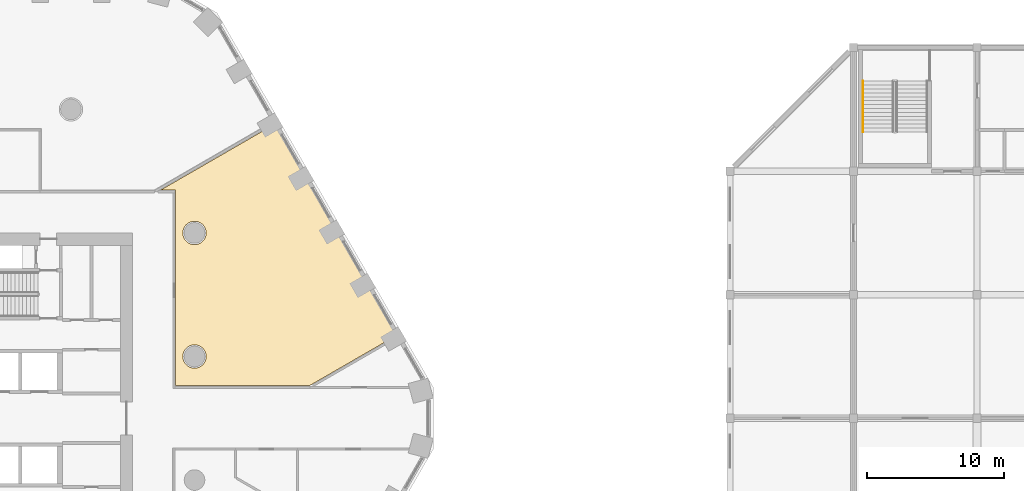
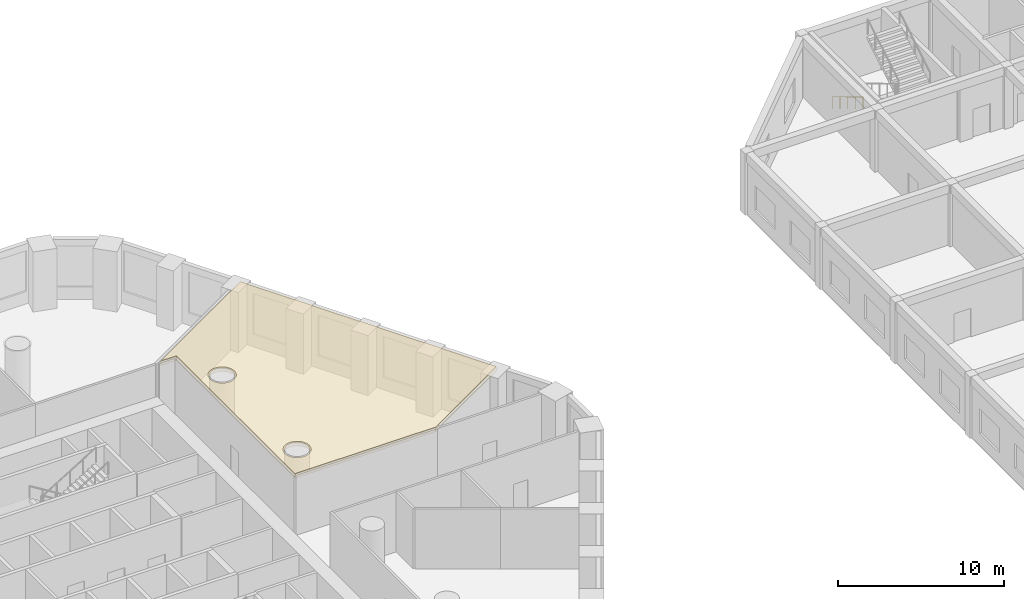
# One storey, part 23 of 26: 1 covering, 1 railing.
"""IFC4 building model written with IfcOpenShell, lengths in metres."""

from ifc_helpers import new_model, si_unit, direction, frame, origin, origin_2d, place, context, subcontext, project, spatial, polyline, circle, outline, extrude, material, layer, layer_set, type_object, element, save


model = new_model("IFC4")

# Units and contexts
model_context = context("Model", 3, precision=1e-05, world=origin(), true_north=direction((0.0, 1.0)))
body_context = subcontext(model_context, "Body", "Model", "MODEL_VIEW")
ifc_project = project(units=[si_unit("LENGTHUNIT", "METRE"), si_unit("AREAUNIT", "SQUARE_METRE"), si_unit("VOLUMEUNIT", "CUBIC_METRE"), si_unit("PLANEANGLEUNIT", "RADIAN"), si_unit("MASSUNIT", "GRAM", prefix="KILO")], contexts=[model_context])

# Site, building, storey
site_placement = place(None, origin())
site = spatial("IfcSite", under=ifc_project, at=site_placement, CompositionType="ELEMENT")
building_placement = place(site_placement, origin())
building = spatial("IfcBuilding", under=site, at=building_placement, Name="Dhurran Vertical Campus", CompositionType="ELEMENT")
storey_placement = place(building_placement, frame((0.0, 0.0, 15.60009765625)))
storey = spatial("IfcBuildingStorey", under=building, at=storey_placement, Name="L03", CompositionType="ELEMENT", Elevation=15.60009765625)

# Covering
ifc_material_1 = material(Name="Mineral fibre ceiling tiles on suspended grid")
ifc_layer = layer(ifc_material_1, 0.35009765625)
ifc_layer_set = layer_set([ifc_layer], Name="Mineral fibre ceiling tiles on suspended grid")
covering_type = type_object("IfcCoveringType", Name="fl-CE-350 suspended ceiling", PredefinedType="CEILING", material=ifc_layer_set)
covering_placement = place(storey_placement, frame((0.0, 0.0, 4.0498046875)))
element("IfcCovering", 1, at=covering_placement, inside=storey, type_object=covering_type, Name="Ceiling 03-17", PredefinedType="CEILING", context=body_context, shape_type="SweptSolid", body=[
    extrude(outline(polyline([(21.1201171875, 2.3701171875), (21.1201171875, 16.6201171875), (20.027099609375, 16.6201171875), (25.56005859375, 19.81494140625), (28.343017578125, 21.422119140625), (29.89599609375, 18.73193359375), (37.222900390625, 6.041015625), (30.864990234375, 2.3701171875), (21.1201171875, 2.3701171875)]), holes=[polyline([(23.333984375, 4.666015625), (23.31298828125, 4.7470703125), (23.284912109375, 4.824951171875), (23.25, 4.90087890625), (23.20703125, 4.971923828125), (23.156982421875, 5.0390625), (23.10107421875, 5.10107421875), (23.0390625, 5.156982421875), (22.971923828125, 5.20703125), (22.90087890625, 5.25), (22.824951171875, 5.284912109375), (22.7470703125, 5.31298828125), (22.666015625, 5.333984375), (22.5830078125, 5.345947265625), (22.5, 5.35009765625), (22.4169921875, 5.345947265625), (22.333984375, 5.333984375), (22.2529296875, 5.31298828125), (22.175048828125, 5.284912109375), (22.09912109375, 5.25), (22.028076171875, 5.20703125), (21.9609375, 5.156982421875), (21.89892578125, 5.10107421875), (21.843017578125, 5.0390625), (21.79296875, 4.971923828125), (21.75, 4.90087890625), (21.715087890625, 4.824951171875), (21.68701171875, 4.7470703125), (21.666015625, 4.666015625), (21.654052734375, 4.5830078125), (21.64990234375, 4.5), (21.654052734375, 4.4169921875), (21.666015625, 4.333984375), (21.68701171875, 4.2529296875), (21.715087890625, 4.175048828125), (21.75, 4.09912109375), (21.79296875, 4.028076171875), (21.843017578125, 3.9609375), (21.89892578125, 3.89892578125), (21.9609375, 3.843017578125), (22.028076171875, 3.79296875), (22.09912109375, 3.75), (22.175048828125, 3.715087890625), (22.2529296875, 3.68701171875), (22.333984375, 3.666015625), (22.4169921875, 3.654052734375), (22.5, 3.64990234375), (22.5830078125, 3.654052734375), (22.666015625, 3.666015625), (22.7470703125, 3.68701171875), (22.824951171875, 3.715087890625), (22.90087890625, 3.75), (22.971923828125, 3.79296875), (23.0390625, 3.843017578125), (23.10107421875, 3.89892578125), (23.156982421875, 3.9609375), (23.20703125, 4.028076171875), (23.25, 4.09912109375), (23.284912109375, 4.175048828125), (23.31298828125, 4.2529296875), (23.333984375, 4.333984375), (23.345947265625, 4.4169921875), (23.35009765625, 4.5), (23.345947265625, 4.5830078125), (23.333984375, 4.666015625)]), polyline([(23.345947265625, 13.5830078125), (23.333984375, 13.666015625), (23.31298828125, 13.7470703125), (23.284912109375, 13.824951171875), (23.25, 13.90087890625), (23.20703125, 13.971923828125), (23.156982421875, 14.0390625), (23.10107421875, 14.10107421875), (23.0390625, 14.156982421875), (22.971923828125, 14.20703125), (22.90087890625, 14.25), (22.824951171875, 14.284912109375), (22.7470703125, 14.31298828125), (22.666015625, 14.333984375), (22.5830078125, 14.345947265625), (22.5, 14.35009765625), (22.4169921875, 14.345947265625), (22.333984375, 14.333984375), (22.2529296875, 14.31298828125), (22.175048828125, 14.284912109375), (22.09912109375, 14.25), (22.028076171875, 14.20703125), (21.9609375, 14.156982421875), (21.89892578125, 14.10107421875), (21.843017578125, 14.0390625), (21.79296875, 13.971923828125), (21.75, 13.90087890625), (21.715087890625, 13.824951171875), (21.68701171875, 13.7470703125), (21.666015625, 13.666015625), (21.654052734375, 13.5830078125), (21.64990234375, 13.5), (21.654052734375, 13.4169921875), (21.666015625, 13.333984375), (21.68701171875, 13.2529296875), (21.715087890625, 13.175048828125), (21.75, 13.09912109375), (21.79296875, 13.028076171875), (21.843017578125, 12.9609375), (21.89892578125, 12.89892578125), (21.9609375, 12.843017578125), (22.028076171875, 12.79296875), (22.09912109375, 12.75), (22.175048828125, 12.715087890625), (22.2529296875, 12.68701171875), (22.333984375, 12.666015625), (22.4169921875, 12.654052734375), (22.5, 12.64990234375), (22.5830078125, 12.654052734375), (22.666015625, 12.666015625), (22.7470703125, 12.68701171875), (22.824951171875, 12.715087890625), (22.90087890625, 12.75), (22.971923828125, 12.79296875), (23.0390625, 12.843017578125), (23.10107421875, 12.89892578125), (23.156982421875, 12.9609375), (23.20703125, 13.028076171875), (23.25, 13.09912109375), (23.284912109375, 13.175048828125), (23.31298828125, 13.2529296875), (23.333984375, 13.333984375), (23.345947265625, 13.4169921875), (23.35009765625, 13.5), (23.345947265625, 13.5830078125)])]), origin(), (0.0, 0.0, 1.0), 0.35009765625),
])

# Railing
ifc_material_2 = material(Name="Steel S355J2H", Category="steel")
railing_type = type_object("IfcRailingType", Name="hl-stair handrail", PredefinedType="HANDRAIL", material=ifc_material_2)
railing_placement = place(storey_placement, frame((71.199951171875, 24.550048828125, 0.17138671875)))
element("IfcRailing", 2, at=railing_placement, inside=storey, type_object=railing_type, Name="L03 HST3 stair handrail 1", PredefinedType="HANDRAIL", context=body_context, shape_type="SweptSolid", body=[
    extrude(circle(Radius=0.02392578125, at=origin_2d()), frame((0.0, 0.0, 0.8759765625), z_axis=(0.0, -0.85613627591, 0.516750110858), x_axis=(1.0, 0.0, 0.0)), (0.0, 0.0, 1.0), 4.3125),
    extrude(circle(Radius=0.02099609375, at=origin_2d()), origin(), (0.0, 0.0, 1.0), 0.851806640625),
    extrude(circle(Radius=0.02099609375, at=origin_2d()), frame((0.0, -0.923095703125, 0.55712890625)), (0.0, 0.0, 1.0), 0.851806640625),
    extrude(circle(Radius=0.02099609375, at=origin_2d()), frame((0.0, -1.84619140625, 1.1142578125)), (0.0, 0.0, 1.0), 0.851806640625),
    extrude(circle(Radius=0.02099609375, at=origin_2d()), frame((0.0, -2.76904296875, 1.67138671875)), (0.0, 0.0, 1.0), 0.851806640625),
    extrude(circle(Radius=0.02099609375, at=origin_2d()), frame((0.0, -3.692138671875, 2.228515625)), (0.0, 0.0, 1.0), 0.851806640625),
])

save(model, "model.ifc")
